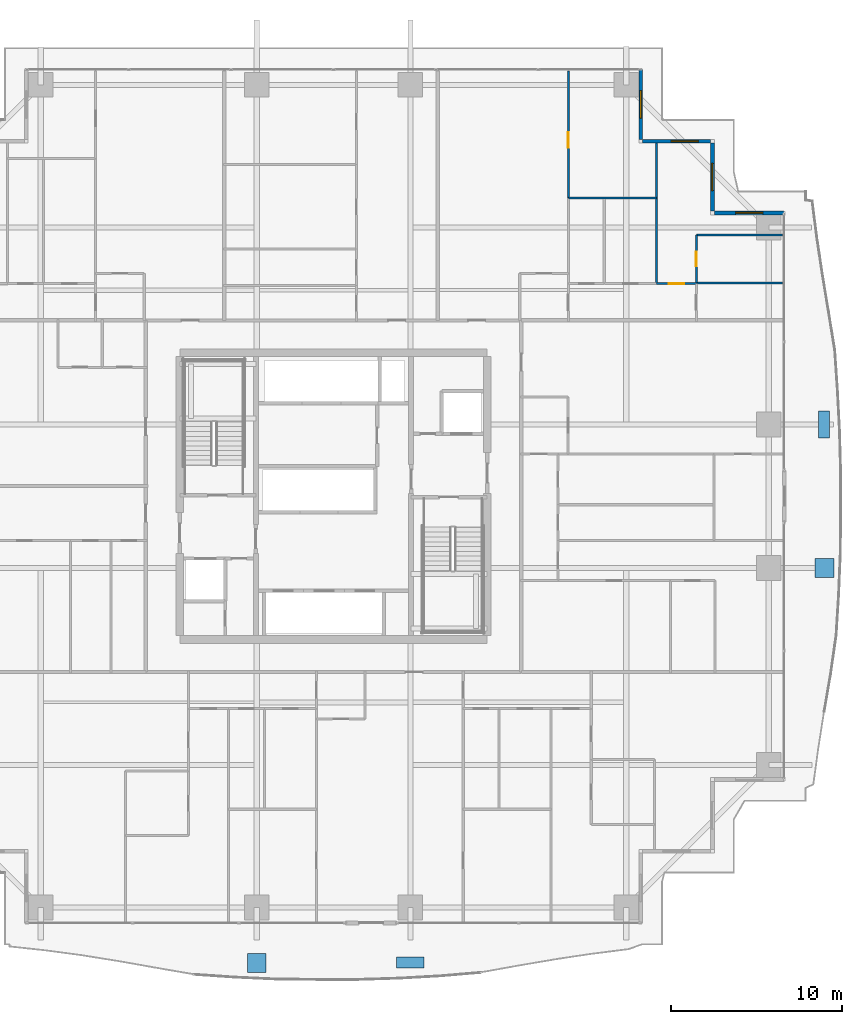
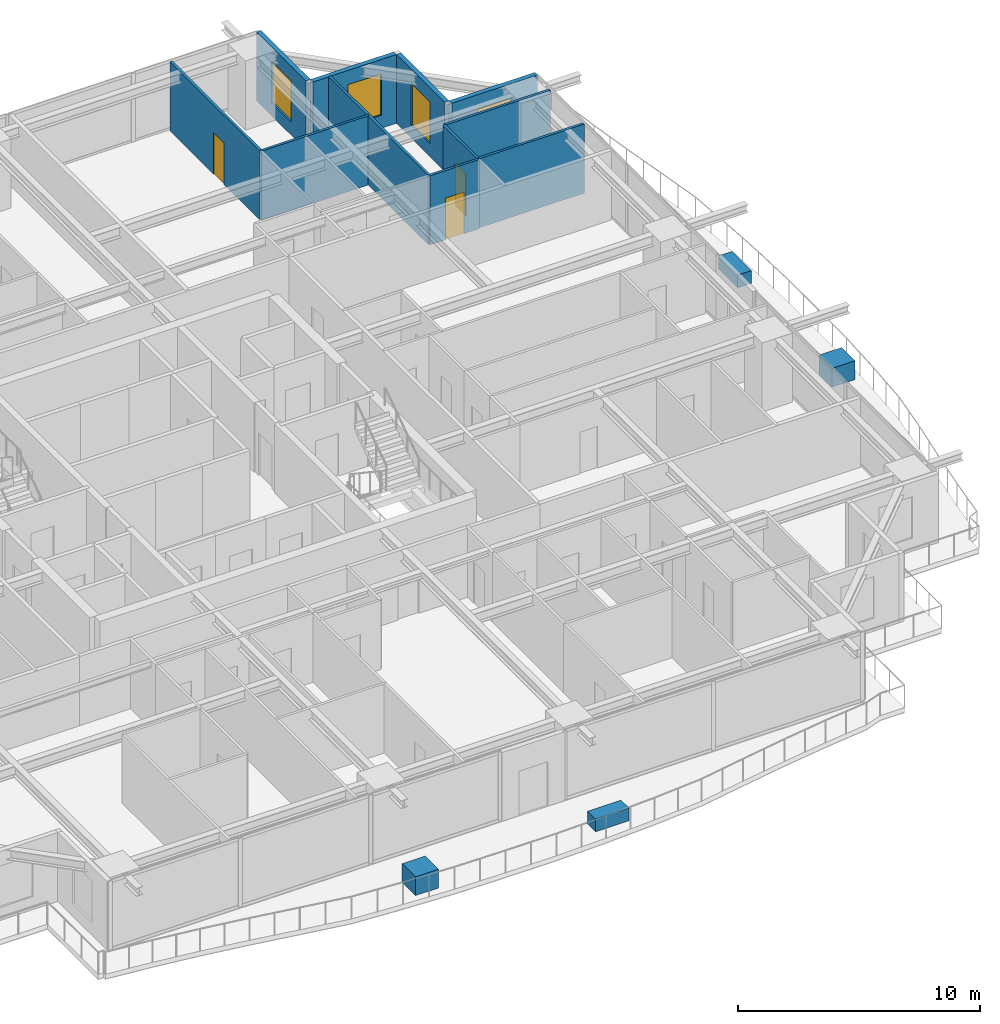
# One storey, part 32 of 39: 11 walls, 4 discrete accessories, 4 windows, 3 doors, 7 openings.
"""IFC4 building model written with IfcOpenShell, lengths in metres."""

from ifc_helpers import new_model, si_unit, direction, frame, frame_2d, origin, origin_2d, place, context, subcontext, project, spatial, rectangle, extrude, source, transform, mapped, material, layer, layer_set, type_object, element, fill, save


model = new_model("IFC4")

# Units and contexts
model_context = context("Model", 3, precision=1e-05, world=origin(), true_north=direction((0.0, 1.0)))
body_context = subcontext(model_context, "Body", "Model", "MODEL_VIEW")
ifc_project = project(units=[si_unit("LENGTHUNIT", "METRE"), si_unit("AREAUNIT", "SQUARE_METRE"), si_unit("VOLUMEUNIT", "CUBIC_METRE"), si_unit("PLANEANGLEUNIT", "RADIAN"), si_unit("MASSUNIT", "GRAM", prefix="KILO")], contexts=[model_context])

# Site, building, storey
site_placement = place(None, origin())
site = spatial("IfcSite", under=ifc_project, at=site_placement, CompositionType="ELEMENT")
building_placement = place(site_placement, origin())
building = spatial("IfcBuilding", under=site, at=building_placement, Name="Serunith Strait Residences", CompositionType="ELEMENT")
storey_placement = place(building_placement, frame((0.0, 0.0, 49.199951171875)))
storey = spatial("IfcBuildingStorey", under=building, at=storey_placement, Name="L11", CompositionType="ELEMENT", Elevation=49.199951171875)

# Wall, opening, window
ifc_material_1 = material(Name="Pale-Champagne Aluminium Insulated Panel", Category="aluminium")
ifc_layer_1 = layer(ifc_material_1, 0.219970703125, Name="Pale-Champagne Aluminium Insulated Panel")
ifc_layer_set_1 = layer_set([ifc_layer_1], Name="Pale-Champagne Aluminium Insulated Panel")
wall_type_1 = type_object("IfcWallType", Name="EW-ALUM-220", PredefinedType="ELEMENTEDWALL", material=ifc_layer_set_1)
wall_1_placement = place(storey_placement, frame((58.800048828125, 41.800048828125, 0.0), z_axis=(0.0, 0.0, 1.0), x_axis=(-1.0, 0.0, 0.0)))
wall_1 = element("IfcWall", 1, at=wall_1_placement, inside=storey, type_object=wall_type_1, Name="L11 Girih Serrated Corner Wall 07", PredefinedType="ELEMENTEDWALL", context=body_context, shape_type="SweptSolid", body=[
    extrude(rectangle(XDim=4.090087890625, YDim=0.219970703125, at=frame_2d((2.044921875, 0.0))), origin(), (0.0, 0.0, 1.0), 3.47509765625),
])
opening_1_placement = place(wall_1_placement, frame((1.2451171875, 0.0, 0.64990234375)))
opening_1 = element("IfcOpeningElement", 2, at=opening_1_placement, cuts=wall_1, Name="Opening W-02", PredefinedType="OPENING", context=body_context, shape_type="SweptSolid", body=[
    extrude(rectangle(XDim=1.60009765625, YDim=2.10009765625, at=frame_2d((0.800048828125, 1.050048828125))), frame((0.0, 0.1201171875, 0.0), z_axis=(0.0, -1.0, 0.0), x_axis=(1.0, 0.0, 0.0)), (0.0, 0.0, 1.0), 0.239990234375),
])
ifc_material_2 = material(Name="Ceramic-Fritted Operable Aluminium Window Glass", Category="aluminium")
window_type = type_object("IfcWindowType", Name="WIN-C2", PartitioningType="DOUBLE_PANEL_VERTICAL", PredefinedType="WINDOW", material=ifc_material_2)
shared_shape_1 = source(origin(), body_context, "Body", "SweptSolid", [
    extrude(rectangle(XDim=1.60009765625, YDim=2.10009765625, at=frame_2d((0.800048828125, 1.050048828125))), frame((0.0, 0.030029296875, 0.0), z_axis=(0.0, -1.0, 0.0), x_axis=(1.0, 0.0, 0.0)), (0.0, 0.0, 1.0), 0.06005859375),
])
window_1_placement = place(opening_1_placement, origin())
window_1 = element("IfcWindow", 3, at=window_1_placement, inside=storey, type_object=window_type, Name="L11 Corner Operable Fritted Window 07", OverallHeight=2.10009765625, OverallWidth=1.60009765625, PartitioningType="SINGLE_PANEL", PredefinedType="WINDOW", context=body_context, shape_type="MappedRepresentation", body=[
    mapped(shared_shape_1, transform((0.0, 0.0, 0.0), scale=1.0)),
])
fill(opening_1, window_1)

wall_2_placement = place(storey_placement, frame((54.60009765625, 41.909912109375, 0.0), z_axis=(0.0, 0.0, 1.0), x_axis=(0.0, 1.0, 0.0)))
wall_2 = element("IfcWall", 4, at=wall_2_placement, inside=storey, type_object=wall_type_1, Name="L11 Girih Serrated Corner Wall 08", PredefinedType="ELEMENTEDWALL", context=body_context, shape_type="SweptSolid", body=[
    extrude(rectangle(XDim=3.97998046875, YDim=0.219970703125, at=frame_2d((1.989990234375, 0.0))), origin(), (0.0, 0.0, 1.0), 3.47509765625),
])
opening_2_placement = place(wall_2_placement, frame((1.18994140625, 0.0, 0.64990234375)))
opening_2 = element("IfcOpeningElement", 5, at=opening_2_placement, cuts=wall_2, Name="Opening W-02", PredefinedType="OPENING", context=body_context, shape_type="SweptSolid", body=[
    extrude(rectangle(XDim=1.60009765625, YDim=2.10009765625, at=frame_2d((0.800048828125, 1.050048828125))), frame((0.0, 0.1201171875, 0.0), z_axis=(0.0, -1.0, 0.0), x_axis=(1.0, 0.0, 0.0)), (0.0, 0.0, 1.0), 0.239990234375),
])
window_2_placement = place(opening_2_placement, origin())
window_2 = element("IfcWindow", 6, at=window_2_placement, inside=storey, type_object=window_type, Name="L11 Corner Operable Fritted Window 08", OverallHeight=2.10009765625, OverallWidth=1.60009765625, PartitioningType="SINGLE_PANEL", PredefinedType="WINDOW", context=body_context, shape_type="MappedRepresentation", body=[
    mapped(shared_shape_1, transform((0.0, 0.0, 0.0), scale=1.0)),
])
fill(opening_2, window_2)

wall_3_placement = place(storey_placement, frame((54.489990234375, 46.0, 0.0), z_axis=(0.0, 0.0, 1.0), x_axis=(-1.0, 0.0, 0.0)))
wall_3 = element("IfcWall", 7, at=wall_3_placement, inside=storey, type_object=wall_type_1, Name="L11 Girih Serrated Corner Wall 09", PredefinedType="ELEMENTEDWALL", context=body_context, shape_type="SweptSolid", body=[
    extrude(rectangle(XDim=3.97998046875, YDim=0.219970703125, at=frame_2d((1.989990234375, 0.0))), origin(), (0.0, 0.0, 1.0), 3.47509765625),
])
opening_3_placement = place(wall_3_placement, frame((0.714111328125, 0.0, 0.64990234375)))
opening_3 = element("IfcOpeningElement", 8, at=opening_3_placement, cuts=wall_3, Name="Opening W-02", PredefinedType="OPENING", context=body_context, shape_type="SweptSolid", body=[
    extrude(rectangle(XDim=1.60009765625, YDim=2.10009765625, at=frame_2d((0.800048828125, 1.050048828125))), frame((0.0, 0.1201171875, 0.0), z_axis=(0.0, -1.0, 0.0), x_axis=(1.0, 0.0, 0.0)), (0.0, 0.0, 1.0), 0.239990234375),
])
window_3_placement = place(opening_3_placement, origin())
window_3 = element("IfcWindow", 9, at=window_3_placement, inside=storey, type_object=window_type, Name="L11 Corner Operable Fritted Window 09", OverallHeight=2.10009765625, OverallWidth=1.60009765625, PartitioningType="SINGLE_PANEL", PredefinedType="WINDOW", context=body_context, shape_type="MappedRepresentation", body=[
    mapped(shared_shape_1, transform((0.0, 0.0, 0.0), scale=1.0)),
])
fill(opening_3, window_3)

wall_4_placement = place(storey_placement, frame((50.39990234375, 46.110107421875, 0.0), z_axis=(0.0, 0.0, 1.0), x_axis=(0.0, 1.0, 0.0)))
wall_4 = element("IfcWall", 10, at=wall_4_placement, inside=storey, type_object=wall_type_1, Name="L11 Girih Serrated Corner Wall 10", PredefinedType="ELEMENTEDWALL", context=body_context, shape_type="SweptSolid", body=[
    extrude(rectangle(XDim=4.08984375, YDim=0.219970703125, at=frame_2d((2.044921875, 0.0))), origin(), (0.0, 0.0, 1.0), 3.47509765625),
])
opening_4_placement = place(wall_4_placement, frame((1.2451171875, 0.0, 0.64990234375)))
opening_4 = element("IfcOpeningElement", 11, at=opening_4_placement, cuts=wall_4, Name="Opening W-02", PredefinedType="OPENING", context=body_context, shape_type="SweptSolid", body=[
    extrude(rectangle(XDim=1.60009765625, YDim=2.10009765625, at=frame_2d((0.800048828125, 1.050048828125))), frame((0.0, 0.1201171875, 0.0), z_axis=(0.0, -1.0, 0.0), x_axis=(1.0, 0.0, 0.0)), (0.0, 0.0, 1.0), 0.239990234375),
])
window_4_placement = place(opening_4_placement, origin())
window_4 = element("IfcWindow", 12, at=window_4_placement, inside=storey, type_object=window_type, Name="L11 Corner Operable Fritted Window 10", OverallHeight=2.10009765625, OverallWidth=1.60009765625, PartitioningType="SINGLE_PANEL", PredefinedType="WINDOW", context=body_context, shape_type="MappedRepresentation", body=[
    mapped(shared_shape_1, transform((0.0, 0.0, 0.0), scale=1.0)),
])
fill(opening_4, window_4)

# Wall, opening, door
ifc_material_3 = material(Name="Lightweight steel-stud gypsum partition", Category="steel")
ifc_layer_2 = layer(ifc_material_3, 0.1201171875, Name="Lightweight steel-stud gypsum partition")
ifc_layer_set_2 = layer_set([ifc_layer_2], Name="Lightweight steel-stud gypsum partition")
wall_type_2 = type_object("IfcWallType", Name="IW-PART-120", PredefinedType="PARTITIONING", material=ifc_layer_set_2)
wall_5_placement = place(storey_placement, frame((46.159912109375, 50.10498046875, 0.0), z_axis=(0.0, 0.0, 1.0), x_axis=(0.0, -1.0, 0.0)))
wall_5 = element("IfcWall", 13, at=wall_5_placement, inside=storey, type_object=wall_type_2, Name="L11 Partition Wall 082", PredefinedType="PARTITIONING", context=body_context, shape_type="SweptSolid", body=[
    extrude(rectangle(XDim=7.432861328125, YDim=0.1201171875, at=frame_2d((3.71630859375, 0.0))), origin(), (0.0, 0.0, 1.0), 3.489990234375),
])
opening_5_placement = place(wall_5_placement, frame((3.593017578125, 0.0, 0.0)))
opening_5 = element("IfcOpeningElement", 14, at=opening_5_placement, cuts=wall_5, Name="Opening D-RM900", PredefinedType="OPENING", context=body_context, shape_type="SweptSolid", body=[
    extrude(rectangle(XDim=0.89990234375, YDim=2.10009765625, at=frame_2d((0.449951171875, 1.050048828125))), frame((0.0, 0.070068359375, 0.0), z_axis=(0.0, -1.0, 0.0), x_axis=(1.0, 0.0, 0.0)), (0.0, 0.0, 1.0), 0.14013671875),
])
ifc_material_4 = material(Name="Engineered timber flush bedroom door", Category="wood")
door_type_1 = type_object("IfcDoorType", Name="ID-ROOM-900", OperationType="NOTDEFINED", PredefinedType="DOOR", material=ifc_material_4)
shared_shape_2 = source(origin(), body_context, "Body", "SweptSolid", [
    extrude(rectangle(XDim=0.89990234375, YDim=2.10009765625, at=frame_2d((0.449951171875, 1.050048828125))), frame((0.0, 0.02490234375, 0.0), z_axis=(0.0, -1.0, 0.0), x_axis=(1.0, 0.0, 0.0)), (0.0, 0.0, 1.0), 0.050048828125),
])
door_1_placement = place(opening_5_placement, origin())
door_1 = element("IfcDoor", 15, at=door_1_placement, inside=storey, type_object=door_type_1, Name="L11 Formal Dining Room 1 1104 Door", OperationType="SINGLE_SWING_RIGHT", OverallHeight=2.10009765625, OverallWidth=0.89990234375, PredefinedType="DOOR", context=body_context, shape_type="MappedRepresentation", body=[
    mapped(shared_shape_2, transform((0.0, 0.0, 0.0), scale=1.0)),
])
fill(opening_5, door_1)

# Walls
wall_6_placement = place(storey_placement, frame((46.159912109375, 42.672119140625, 0.0), z_axis=(0.0, 0.0, 1.0), x_axis=(1.0, 0.0, 0.0)))
element("IfcWall", 16, at=wall_6_placement, inside=storey, type_object=wall_type_2, Name="L11 Partition Wall 084", PredefinedType="PARTITIONING", context=body_context, shape_type="SweptSolid", body=[
    extrude(rectangle(XDim=5.150146484375, YDim=0.1201171875, at=frame_2d((2.5751953125, 0.0))), origin(), (0.0, 0.0, 1.0), 3.489990234375),
])
wall_7_placement = place(storey_placement, frame((51.31005859375, 45.905029296875, 0.0), z_axis=(0.0, 0.0, 1.0), x_axis=(0.0, -1.0, 0.0)))
element("IfcWall", 17, at=wall_7_placement, inside=storey, type_object=wall_type_2, Name="L11 Partition Wall 085", PredefinedType="PARTITIONING", context=body_context, shape_type="SweptSolid", body=[
    extrude(rectangle(XDim=8.255126953125, YDim=0.1201171875, at=frame_2d((4.12744140625, 0.0))), origin(), (0.0, 0.0, 1.0), 3.489990234375),
])

# Wall, opening, door
wall_8_placement = place(storey_placement, frame((51.31201171875, 37.64990234375, 0.0), z_axis=(0.0, 0.0, 1.0), x_axis=(1.0, 0.0, 0.0)))
wall_8 = element("IfcWall", 18, at=wall_8_placement, inside=storey, type_object=wall_type_2, Name="L11 Partition Wall 089", PredefinedType="PARTITIONING", context=body_context, shape_type="SweptSolid", body=[
    extrude(rectangle(XDim=2.347900390625, YDim=0.1201171875, at=frame_2d((1.173828125, 0.0))), origin(), (0.0, 0.0, 1.0), 3.489990234375),
])
opening_6_placement = place(wall_8_placement, frame((0.72412109375, 0.0, 0.0)))
opening_6 = element("IfcOpeningElement", 19, at=opening_6_placement, cuts=wall_8, Name="Opening D-RM900", PredefinedType="OPENING", context=body_context, shape_type="SweptSolid", body=[
    extrude(rectangle(XDim=0.89990234375, YDim=2.10009765625, at=frame_2d((0.449951171875, 1.050048828125))), frame((0.0, 0.070068359375, 0.0), z_axis=(0.0, -1.0, 0.0), x_axis=(1.0, 0.0, 0.0)), (0.0, 0.0, 1.0), 0.14013671875),
])
door_2_placement = place(opening_6_placement, origin())
door_2 = element("IfcDoor", 20, at=door_2_placement, inside=storey, type_object=door_type_1, Name="L11 Master Bedroom E 1104 Door", OperationType="SINGLE_SWING_LEFT", OverallHeight=2.10009765625, OverallWidth=0.89990234375, PredefinedType="DOOR", context=body_context, shape_type="MappedRepresentation", body=[
    mapped(shared_shape_2, transform((0.0, 0.0, 0.0), scale=1.0)),
])
fill(opening_6, door_2)

# Walls
wall_9_placement = place(storey_placement, frame((53.659912109375, 40.506103515625, 0.0), z_axis=(0.0, 0.0, 1.0), x_axis=(1.0, 0.0, 0.0)))
element("IfcWall", 21, at=wall_9_placement, inside=storey, type_object=wall_type_2, Name="L11 Partition Wall 090", PredefinedType="PARTITIONING", context=body_context, shape_type="SweptSolid", body=[
    extrude(rectangle(XDim=5.045166015625, YDim=0.1201171875, at=frame_2d((2.5224609375, 0.0))), origin(), (0.0, 0.0, 1.0), 3.489990234375),
])
wall_10_placement = place(storey_placement, frame((53.662109375, 37.697998046875, 0.0), z_axis=(0.0, 0.0, 1.0), x_axis=(1.0, 0.0, 0.0)))
element("IfcWall", 22, at=wall_10_placement, inside=storey, type_object=wall_type_2, Name="L11 Partition Wall 091", PredefinedType="PARTITIONING", context=body_context, shape_type="SweptSolid", body=[
    extrude(rectangle(XDim=5.04296875, YDim=0.1201171875, at=frame_2d((2.521484375, 0.0))), origin(), (0.0, 0.0, 1.0), 3.489990234375),
])

# Wall, opening, door
wall_11_placement = place(storey_placement, frame((53.659912109375, 40.506103515625, 0.0), z_axis=(0.0, 0.0, 1.0), x_axis=(0.0, -1.0, 0.0)))
wall_11 = element("IfcWall", 23, at=wall_11_placement, inside=storey, type_object=wall_type_2, Name="L11 Partition Wall 092", PredefinedType="PARTITIONING", context=body_context, shape_type="SweptSolid", body=[
    extrude(rectangle(XDim=2.80810546875, YDim=0.1201171875, at=frame_2d((1.404052734375, 0.0))), origin(), (0.0, 0.0, 1.0), 3.489990234375),
])
opening_7_placement = place(wall_11_placement, frame((0.97900390625, 0.0, 0.0)))
opening_7 = element("IfcOpeningElement", 24, at=opening_7_placement, cuts=wall_11, Name="Opening D-BTH850", PredefinedType="OPENING", context=body_context, shape_type="SweptSolid", body=[
    extrude(rectangle(XDim=0.85009765625, YDim=2.10009765625, at=frame_2d((0.425048828125, 1.050048828125))), frame((0.0, 0.070068359375, 0.0), z_axis=(0.0, -1.0, 0.0), x_axis=(1.0, 0.0, 0.0)), (0.0, 0.0, 1.0), 0.14013671875),
])
ifc_material_5 = material(Name="Moisture-resistant timber bathroom door", Category="wood")
door_type_2 = type_object("IfcDoorType", Name="ID-BATH-850", OperationType="NOTDEFINED", PredefinedType="DOOR", material=ifc_material_5)
shared_shape_3 = source(origin(), body_context, "Body", "SweptSolid", [
    extrude(rectangle(XDim=0.85009765625, YDim=2.10009765625, at=frame_2d((0.425048828125, 1.050048828125))), frame((0.0, 0.02490234375, 0.0), z_axis=(0.0, -1.0, 0.0), x_axis=(1.0, 0.0, 0.0)), (0.0, 0.0, 1.0), 0.050048828125),
])
door_3_placement = place(opening_7_placement, origin())
door_3 = element("IfcDoor", 25, at=door_3_placement, inside=storey, type_object=door_type_2, Name="L11 En-suite Bathroom E 1104 Door", OperationType="SINGLE_SWING_RIGHT", OverallHeight=2.10009765625, OverallWidth=0.85009765625, PredefinedType="DOOR", context=body_context, shape_type="MappedRepresentation", body=[
    mapped(shared_shape_3, transform((0.0, 0.0, 0.0), scale=1.0)),
])
fill(opening_7, door_3)

# Discrete accessories
ifc_material_6 = material(Name="GFRC Root-Anchored Structural Planter")
discrete_accessory_type_1 = type_object("IfcDiscreteAccessoryType", Name="ACC-PLANTER-TREE", PredefinedType="USERDEFINED", material=ifc_material_6)
shared_shape_4 = source(origin(), body_context, "Body", "SweptSolid", [
    extrude(rectangle(XDim=1.10009765625, YDim=1.10009765625, at=origin_2d()), origin(), (0.0, 0.0, 1.0), 0.949951171875),
])
for number, where, z_axis, x_axis, name in (
    (26, (27.89990234375, -2.1435546875, -0.0498046875), (0.0, 0.0, 1.0), (1.0, 0.0, 0.0), "L11 Vertical-Forest Tree Planter 02"),
    (27, (61.166015625, 21.0, -0.0498046875), (0.0, 0.0, 1.0), (0.0, 1.0, 0.0), "L11 Vertical-Forest Tree Planter 10"),
):
    element("IfcDiscreteAccessory", number, at=place(storey_placement, frame(where, z_axis=z_axis, x_axis=x_axis)), inside=storey, type_object=discrete_accessory_type_1, Name=name, ObjectType="PLANTER", PredefinedType="USERDEFINED", context=body_context, shape_type="MappedRepresentation", body=[
        mapped(shared_shape_4, transform((0.0, 0.0, 0.0), scale=1.0)),
    ])
ifc_material_7 = material(Name="GFRC Irrigated Shrub Trough Planter")
discrete_accessory_type_2 = type_object("IfcDiscreteAccessoryType", Name="ACC-PLANTER-SHRUB", PredefinedType="USERDEFINED", material=ifc_material_7)
shared_shape_5 = source(origin(), body_context, "Body", "SweptSolid", [
    extrude(rectangle(XDim=1.60009765625, YDim=0.64990234375, at=origin_2d()), origin(), (0.0, 0.0, 1.0), 0.64990234375),
])
for number, where, z_axis, x_axis, name in (
    (28, (36.89990234375, -2.109130859375, -0.0498046875), (0.0, 0.0, 1.0), (1.0, 0.0, 0.0), "L11 Vertical-Forest Shrub Planter 03"),
    (29, (61.1357421875, 29.39990234375, -0.0498046875), (0.0, 0.0, 1.0), (0.0, 1.0, 0.0), "L11 Vertical-Forest Shrub Planter 11"),
):
    element("IfcDiscreteAccessory", number, at=place(storey_placement, frame(where, z_axis=z_axis, x_axis=x_axis)), inside=storey, type_object=discrete_accessory_type_2, Name=name, ObjectType="PLANTER", PredefinedType="USERDEFINED", context=body_context, shape_type="MappedRepresentation", body=[
        mapped(shared_shape_5, transform((0.0, 0.0, 0.0), scale=1.0)),
    ])

save(model, "model.ifc")
